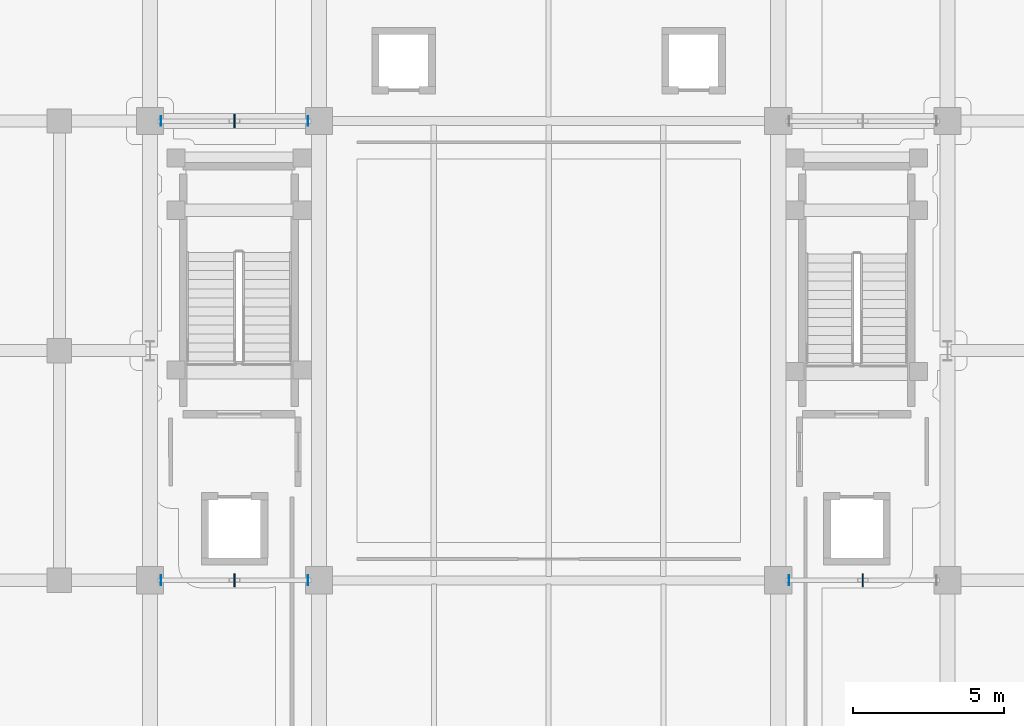
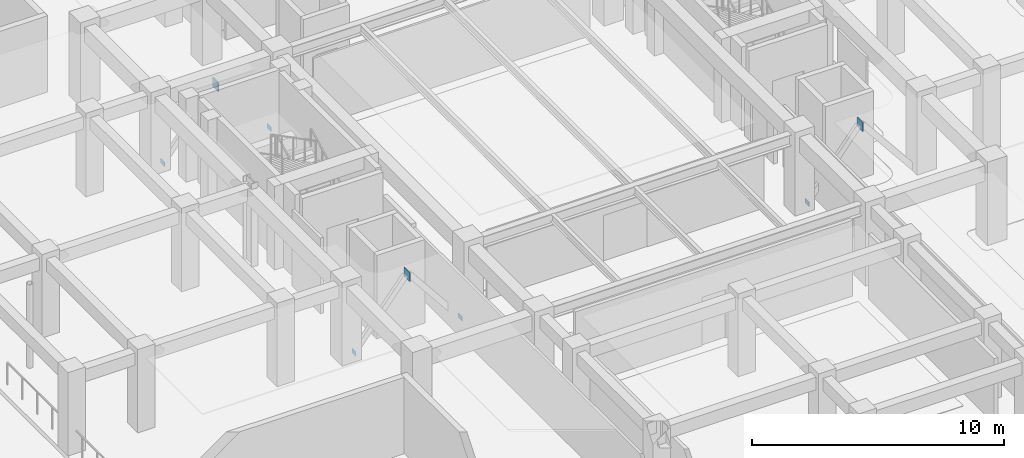
# One storey, part 53 of 87: 8 plates.
"""IFC4 building model written with IfcOpenShell, lengths in metres."""

from ifc_helpers import new_model, si_unit, direction, frame, origin, origin_2d, place, context, subcontext, project, spatial, rectangle, extrude, material, layer, layer_set, type_object, element, save


model = new_model("IFC4")

# Units and contexts
model_context = context("Model", 3, precision=1e-05, world=origin(), true_north=direction((0.0, 1.0)))
body_context = subcontext(model_context, "Body", "Model", "MODEL_VIEW")
ifc_project = project(units=[si_unit("LENGTHUNIT", "METRE"), si_unit("AREAUNIT", "SQUARE_METRE"), si_unit("VOLUMEUNIT", "CUBIC_METRE"), si_unit("PLANEANGLEUNIT", "RADIAN"), si_unit("MASSUNIT", "GRAM", prefix="KILO")], contexts=[model_context])

# Site, building, storey
site_placement = place(None, origin())
site = spatial("IfcSite", under=ifc_project, at=site_placement, CompositionType="ELEMENT")
building_placement = place(site_placement, origin())
building = spatial("IfcBuilding", under=site, at=building_placement, Name="Saryqyr Civic Hall", CompositionType="ELEMENT")
storey_placement = place(building_placement, frame((0.0, 0.0, 5.10009765625)))
storey = spatial("IfcBuildingStorey", under=building, at=storey_placement, Name="L01", CompositionType="ELEMENT", Elevation=5.10009765625)

# Plates
ifc_material = material(Name="Steel S355", Category="steel")
ifc_layer_1 = layer(ifc_material, 0.01611328125, Name="Steel S355")
ifc_layer_set_1 = layer_set([ifc_layer_1], Name="Steel S355")
plate_type_1 = type_object("IfcPlateType", Name="STR-PLT-CAP16", PredefinedType="USERDEFINED", material=ifc_layer_set_1)
for number, where, z_axis, x_axis, name in (
    (1, (44.159912109375, 76.39990234375, 0.009765625), (0.0, 0.0, 1.0), (1.0, 0.0, 0.0), "Hollow section end cap V1-BRCAP-1A0-L01"),
    (2, (49.0400390625, 76.39990234375, 0.009765625), (0.0, 0.0, 1.0), (1.0, 0.0, 0.0), "Hollow section end cap V1-BRCAP-1B0-L01"),
    (3, (64.9599609375, 76.39990234375, 0.009765625), (0.0, 0.0, 1.0), (1.0, 0.0, 0.0), "Hollow section end cap V1-BRCAP-2A0-L01"),
    (4, (44.159912109375, 91.60009765625, 0.009765625), (0.0, 0.0, 1.0), (1.0, 0.0, 0.0), "Hollow section end cap V1-BRCAP-3A0-L01"),
    (5, (49.0400390625, 91.60009765625, 0.009765625), (0.0, 0.0, 1.0), (1.0, 0.0, 0.0), "Hollow section end cap V1-BRCAP-3B0-L01"),
):
    element("IfcPlate", number, at=place(storey_placement, frame(where, z_axis=z_axis, x_axis=x_axis)), inside=storey, type_object=plate_type_1, Name=name, ObjectType="FLANGE_PLATE", PredefinedType="USERDEFINED", context=body_context, shape_type="SweptSolid", body=[
        extrude(rectangle(XDim=0.01611328125, YDim=0.320068359375, at=origin_2d()), origin(), (0.0, 0.0, 1.0), 0.219970703125),
    ])
ifc_layer_2 = layer(ifc_material, 0.0400390625, Name="Steel S355")
ifc_layer_set_2 = layer_set([ifc_layer_2], Name="Steel S355")
plate_type_2 = type_object("IfcPlateType", Name="STR-PLT-GUS40", PredefinedType="USERDEFINED", material=ifc_layer_set_2)
for number, where, z_axis, x_axis, name in (
    (6, (46.60009765625, 76.39990234375, 2.829833984375), (0.0, 0.0, 1.0), (1.0, 0.0, 0.0), "Hollow section end cap V1-BRGUS-1-L01"),
    (7, (67.39990234375, 76.39990234375, 2.829833984375), (0.0, 0.0, 1.0), (1.0, 0.0, 0.0), "Hollow section end cap V1-BRGUS-2-L01"),
    (8, (46.60009765625, 91.60009765625, 2.829833984375), (0.0, 0.0, 1.0), (1.0, 0.0, 0.0), "Hollow section end cap V1-BRGUS-3-L01"),
):
    element("IfcPlate", number, at=place(storey_placement, frame(where, z_axis=z_axis, x_axis=x_axis)), inside=storey, type_object=plate_type_2, Name=name, ObjectType="FLANGE_PLATE", PredefinedType="USERDEFINED", context=body_context, shape_type="SweptSolid", body=[
        extrude(rectangle(XDim=0.0400390625, YDim=0.43994140625, at=origin_2d()), origin(), (0.0, 0.0, 1.0), 0.43994140625),
    ])

save(model, "model.ifc")
